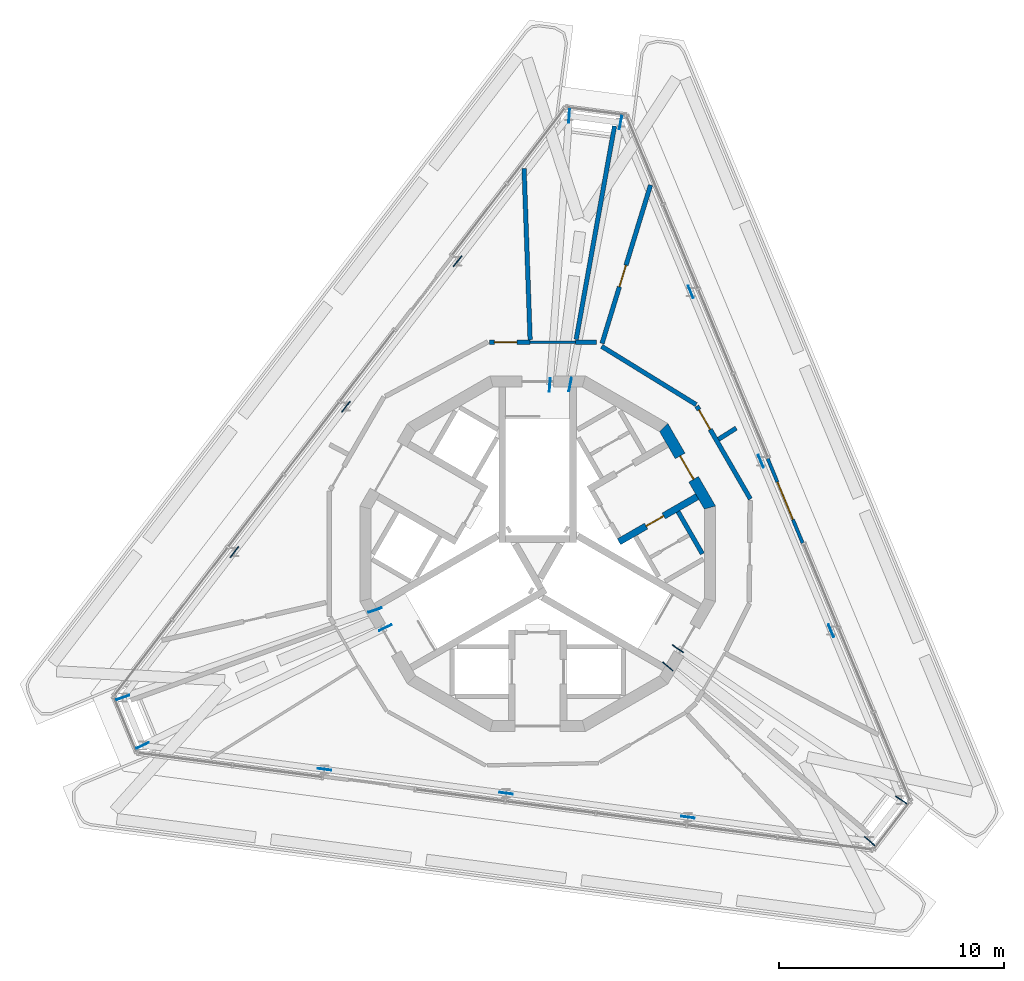
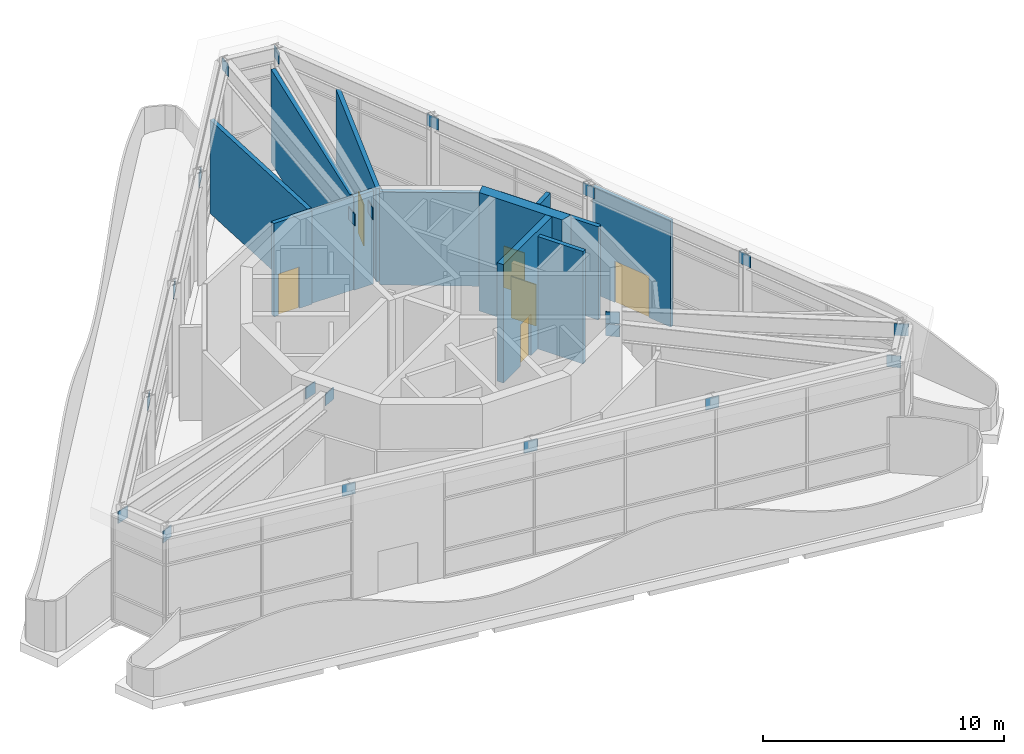
# One storey, part 9 of 10: 21 discrete accessories, 13 walls, 6 doors, 6 openings.
"""IFC4 building model written with IfcOpenShell, lengths in metres."""

from ifc_helpers import new_model, si_unit, direction, frame, frame_2d, origin, origin_2d, place, context, subcontext, project, spatial, polyline, rectangle, outline, extrude, material, layer, layer_set, type_object, element, fill, save


model = new_model("IFC4")

# Units and contexts
model_context = context("Model", 3, precision=1e-05, world=origin(), true_north=direction((0.0, 1.0)))
body_context = subcontext(model_context, "Body", "Model", "MODEL_VIEW")
ifc_project = project(units=[si_unit("LENGTHUNIT", "METRE"), si_unit("AREAUNIT", "SQUARE_METRE"), si_unit("VOLUMEUNIT", "CUBIC_METRE"), si_unit("PLANEANGLEUNIT", "RADIAN"), si_unit("MASSUNIT", "GRAM", prefix="KILO")], contexts=[model_context])

# Site, building, storey
site_placement = place(None, origin())
site = spatial("IfcSite", under=ifc_project, at=site_placement, CompositionType="ELEMENT")
building_placement = place(site_placement, origin())
building = spatial("IfcBuilding", under=site, at=building_placement, Name="Trine Commons Tower", CompositionType="ELEMENT")
storey_placement = place(building_placement, frame((0.0, 0.0, 300.60009765625)))
storey = spatial("IfcBuildingStorey", under=building, at=storey_placement, Name="CROWN", CompositionType="ELEMENT", Elevation=300.60009765625)

# Wall, opening, door
ifc_material_1 = material(Name="Plasterboard on steel stud", Category="steel")
ifc_layer_1 = layer(ifc_material_1, 0.199951171875)
ifc_layer_set_1 = layer_set([ifc_layer_1], Name="Plasterboard on steel stud")
wall_type_1 = type_object("IfcWallType", Name="Fire wall 200 mm, EI 120", PredefinedType="PARTITIONING", material=ifc_layer_set_1)
wall_1_placement = place(storey_placement, frame((77.848876953125, 71.920654296875, 0.0), z_axis=(0.0, 0.0, 1.0), x_axis=(1.0, 0.0, 0.0)))
wall_1 = element("IfcWall", 1, at=wall_1_placement, inside=storey, type_object=wall_type_1, Name="Partition CR013", PredefinedType="PARTITIONING", context=body_context, shape_type="SweptSolid", body=[
    extrude(rectangle(XDim=1.818603515625, YDim=0.199951171875, at=frame_2d((0.9091796875, 0.0))), origin(), (0.0, 0.0, 1.0), 4.722900390625),
])
opening_1_placement = place(wall_1_placement, frame((0.22265625, 0.0, 0.0)))
opening_1 = element("IfcOpeningElement", 2, at=opening_1_placement, cuts=wall_1, Name="Opening D-CR03", PredefinedType="OPENING", context=body_context, shape_type="SweptSolid", body=[
    extrude(rectangle(XDim=1.0, YDim=2.10009765625, at=frame_2d((0.5, 1.050048828125))), frame((0.0, 0.10986328125, 0.0), z_axis=(0.0, -1.0, 0.0), x_axis=(1.0, 0.0, 0.0)), (0.0, 0.0, 1.0), 0.219970703125),
])
ifc_material_2 = material(Name="Timber fire door set", Category="wood")
door_type_1 = type_object("IfcDoorType", Name="Single swing door 1000x2100, FD60", OperationType="SINGLE_SWING_LEFT", PredefinedType="DOOR", material=ifc_material_2)
door_1_placement = place(opening_1_placement, origin())
door_1 = element("IfcDoor", 3, at=door_1_placement, inside=storey, type_object=door_type_1, Name="Door D-CR03", OperationType="SINGLE_SWING_LEFT", OverallHeight=2.10009765625, OverallWidth=1.0, PredefinedType="DOOR", context=body_context, shape_type="SweptSolid", body=[
    extrude(rectangle(XDim=1.0, YDim=2.10009765625, at=frame_2d((0.5, 1.050048828125))), frame((0.0, 0.02490234375, 0.0), z_axis=(0.0, -1.0, 0.0), x_axis=(1.0, 0.0, 0.0)), (0.0, 0.0, 1.0), 0.050048828125),
])
fill(opening_1, door_1)

# Walls
wall_2_placement = place(storey_placement, frame((79.39404296875, 79.659912109375, 0.0), z_axis=(0.0, 0.0, 1.0), x_axis=(0.035285675527, -0.999377266653, 0.0)))
element("IfcWall", 4, at=wall_2_placement, inside=storey, type_object=wall_type_1, Name="Partition CR014", PredefinedType="PARTITIONING", context=body_context, shape_type="SweptSolid", body=[
    extrude(rectangle(XDim=7.638427734375, YDim=0.199951171875, at=frame_2d((3.8193359375, 0.0))), origin(), (0.0, 0.0, 1.0), 4.722900390625),
])
wall_3_placement = place(storey_placement, frame((81.692626953125, 71.920654296875, 0.0), z_axis=(0.0, 0.0, 1.0), x_axis=(1.0, 0.0, 0.0)))
element("IfcWall", 5, at=wall_3_placement, inside=storey, type_object=wall_type_1, Name="Partition CR016", PredefinedType="PARTITIONING", context=body_context, shape_type="SweptSolid", body=[
    extrude(rectangle(XDim=0.931640625, YDim=0.199951171875, at=frame_2d((0.4658203125, 0.0))), origin(), (0.0, 0.0, 1.0), 4.722900390625),
])
wall_4_placement = place(storey_placement, frame((81.71435546875, 72.040283203125, 0.0), z_axis=(0.0, 0.0, 1.0), x_axis=(0.176869418854, 0.9842343261, 0.0)))
element("IfcWall", 6, at=wall_4_placement, inside=storey, type_object=wall_type_1, Name="Partition CR017", PredefinedType="PARTITIONING", context=body_context, shape_type="SweptSolid", body=[
    extrude(rectangle(XDim=9.656982421875, YDim=0.199951171875, at=frame_2d((4.82861328125, 0.0))), origin(), (0.0, 0.0, 1.0), 4.722900390625),
])
wall_5_placement = place(storey_placement, frame((82.847412109375, 71.73388671875, 0.0), z_axis=(0.0, 0.0, 1.0), x_axis=(0.851358239869, -0.524584738062, 0.0)))
element("IfcWall", 7, at=wall_5_placement, inside=storey, type_object=wall_type_1, Name="Partition CR019", PredefinedType="PARTITIONING", context=body_context, shape_type="SweptSolid", body=[
    extrude(rectangle(XDim=4.94677734375, YDim=0.199951171875, at=frame_2d((2.473388671875, 0.0))), origin(), (0.0, 0.0, 1.0), 4.722900390625),
])

# Wall, opening, door
wall_6_placement = place(storey_placement, frame((85.02685546875, 78.91796875, 0.0), z_axis=(0.0, 0.0, 1.0), x_axis=(-0.292780963103, -0.956179537349, 0.0)))
wall_6 = element("IfcWall", 8, at=wall_6_placement, inside=storey, type_object=wall_type_1, Name="Partition CR020", PredefinedType="PARTITIONING", context=body_context, shape_type="SweptSolid", body=[
    extrude(rectangle(XDim=7.377197265625, YDim=0.199951171875, at=frame_2d((3.6884765625, 0.0))), origin(), (0.0, 0.0, 1.0), 4.722900390625),
])
opening_2_placement = place(wall_6_placement, frame((3.738525390625, 0.0, 0.0)))
opening_2 = element("IfcOpeningElement", 9, at=opening_2_placement, cuts=wall_6, Name="Opening D-CR05", PredefinedType="OPENING", context=body_context, shape_type="SweptSolid", body=[
    extrude(rectangle(XDim=1.0, YDim=2.10009765625, at=frame_2d((0.5, 1.050048828125))), frame((0.0, 0.10986328125, 0.0), z_axis=(0.0, -1.0, 0.0), x_axis=(1.0, 0.0, 0.0)), (0.0, 0.0, 1.0), 0.219970703125),
])
door_2_placement = place(opening_2_placement, origin())
door_2 = element("IfcDoor", 10, at=door_2_placement, inside=storey, type_object=door_type_1, Name="Door D-CR05", OperationType="SINGLE_SWING_LEFT", OverallHeight=2.10009765625, OverallWidth=1.0, PredefinedType="DOOR", context=body_context, shape_type="SweptSolid", body=[
    extrude(rectangle(XDim=1.0, YDim=2.10009765625, at=frame_2d((0.5, 1.050048828125))), frame((0.0, 0.02490234375, 0.0), z_axis=(0.0, -1.0, 0.0), x_axis=(1.0, 0.0, 0.0)), (0.0, 0.0, 1.0), 0.050048828125),
])
fill(opening_2, door_2)

wall_7_placement = place(storey_placement, frame((87.0830078125, 69.0732421875, 0.0), z_axis=(0.0, 0.0, 1.0), x_axis=(0.500010114825, -0.866019563909, 0.0)))
wall_7 = element("IfcWall", 11, at=wall_7_placement, inside=storey, type_object=wall_type_1, Name="Partition CR024", PredefinedType="PARTITIONING", context=body_context, shape_type="SweptSolid", body=[
    extrude(rectangle(XDim=4.775390625, YDim=0.199951171875, at=frame_2d((2.3876953125, 0.0))), origin(), (0.0, 0.0, 1.0), 4.722900390625),
])
opening_3_placement = place(wall_7_placement, frame((0.197998046875, 0.0, 0.0)))
opening_3 = element("IfcOpeningElement", 12, at=opening_3_placement, cuts=wall_7, Name="Opening D-CR07", PredefinedType="OPENING", context=body_context, shape_type="SweptSolid", body=[
    extrude(rectangle(XDim=1.0, YDim=2.10009765625, at=frame_2d((0.5, 1.050048828125))), frame((0.0, 0.10986328125, 0.0), z_axis=(0.0, -1.0, 0.0), x_axis=(1.0, 0.0, 0.0)), (0.0, 0.0, 1.0), 0.219970703125),
])
door_3_placement = place(opening_3_placement, origin())
door_3 = element("IfcDoor", 13, at=door_3_placement, inside=storey, type_object=door_type_1, Name="Door D-CR07", OperationType="SINGLE_SWING_LEFT", OverallHeight=2.10009765625, OverallWidth=1.0, PredefinedType="DOOR", context=body_context, shape_type="SweptSolid", body=[
    extrude(rectangle(XDim=1.0, YDim=2.10009765625, at=frame_2d((0.5, 1.050048828125))), frame((0.0, 0.02490234375, 0.0), z_axis=(0.0, -1.0, 0.0), x_axis=(1.0, 0.0, 0.0)), (0.0, 0.0, 1.0), 0.050048828125),
])
fill(opening_3, door_3)

# Walls
wall_8_placement = place(storey_placement, frame((88.055419921875, 67.596923828125, 0.0), z_axis=(0.0, 0.0, 1.0), x_axis=(0.84508853991, 0.534626373941, 0.0)))
element("IfcWall", 14, at=wall_8_placement, inside=storey, type_object=wall_type_1, Name="Partition CR027", PredefinedType="PARTITIONING", context=body_context, shape_type="SweptSolid", body=[
    extrude(rectangle(XDim=0.927978515625, YDim=0.199951171875, at=frame_2d((0.4638671875, 0.0))), origin(), (0.0, 0.0, 1.0), 4.722900390625),
])
ifc_layer_2 = layer(ifc_material_1, 0.10009765625)
ifc_layer_set_2 = layer_set([ifc_layer_2], Name="Plasterboard on steel stud")
wall_type_2 = type_object("IfcWallType", Name="Partition wall 100 mm stud, not rated", PredefinedType="PARTITIONING", material=ifc_layer_set_2)
wall_9_placement = place(storey_placement, frame((79.669189453125, 71.920654296875, 0.0), z_axis=(0.0, 0.0, 1.0), x_axis=(1.0, 0.0, 0.0)))
element("IfcWall", 15, at=wall_9_placement, inside=storey, type_object=wall_type_2, Name="Partition CR015", PredefinedType="PARTITIONING", context=body_context, shape_type="SweptSolid", body=[
    extrude(rectangle(XDim=2.021728515625, YDim=0.10009765625, at=frame_2d((1.0107421875, 0.0))), origin(), (0.0, 0.0, 1.0), 4.722900390625),
])

# Wall, opening, door
ifc_material_3 = material(Name="Aluminium-framed insulated wall panel", Category="aluminium")
ifc_layer_3 = layer(ifc_material_3, 0.14990234375)
ifc_layer_set_3 = layer_set([ifc_layer_3], Name="Aluminium-framed insulated wall panel")
wall_type_3 = type_object("IfcWallType", Name="Plant access wall 150, EI 60", PredefinedType="SOLIDWALL", material=ifc_layer_set_3)
wall_10_placement = place(storey_placement, frame((91.800048828125, 62.970947265625, 0.0), z_axis=(0.0, 0.0, 1.0), x_axis=(-0.382668835661, 0.923885578529, 0.0)))
wall_10 = element("IfcWall", 16, at=wall_10_placement, inside=storey, type_object=wall_type_3, Name="Plant access wall D3 4", PredefinedType="SOLIDWALL", context=body_context, shape_type="SweptSolid", body=[
    extrude(rectangle(XDim=4.08056640625, YDim=0.14990234375, at=frame_2d((2.040283203125, 0.0))), origin(), (0.0, 0.0, 1.0), 5.39990234375),
])
opening_4_placement = place(wall_10_placement, frame((1.140380859375, 0.0, 0.0)))
opening_4 = element("IfcOpeningElement", 17, at=opening_4_placement, cuts=wall_10, Name="Opening PD-D3-04", PredefinedType="OPENING", context=body_context, shape_type="SweptSolid", body=[
    extrude(rectangle(XDim=1.800048828125, YDim=2.10009765625, at=frame_2d((0.89990234375, 1.050048828125))), frame((0.0, 0.0849609375, 0.0), z_axis=(0.0, -1.0, 0.0), x_axis=(1.0, 0.0, 0.0)), (0.0, 0.0, 1.0), 0.169921875),
])
ifc_material_4 = material(Name="Powder-coated steel", Category="steel")
door_type_2 = type_object("IfcDoorType", Name="Steel double door 1800x2100, FD60", OperationType="DOUBLE_DOOR_DOUBLE_SWING", PredefinedType="DOOR", material=ifc_material_4)
door_4_placement = place(opening_4_placement, origin())
door_4 = element("IfcDoor", 18, at=door_4_placement, inside=storey, type_object=door_type_2, Name="Plant access door D3 4", OperationType="DOUBLE_DOOR_DOUBLE_SWING", OverallHeight=2.10009765625, OverallWidth=1.800048828125, PredefinedType="DOOR", context=body_context, shape_type="SweptSolid", body=[
    extrude(rectangle(XDim=1.800048828125, YDim=2.10009765625, at=frame_2d((0.89990234375, 1.050048828125))), frame((0.0, 0.02490234375, 0.0), z_axis=(0.0, -1.0, 0.0), x_axis=(1.0, 0.0, 0.0)), (0.0, 0.0, 1.0), 0.050048828125),
])
fill(opening_4, door_4)

ifc_material_5 = material(Name="Concrete C50/60", Category="concrete")
ifc_layer_4 = layer(ifc_material_5, 0.300048828125)
ifc_layer_set_4 = layer_set([ifc_layer_4], Name="Concrete C50/60")
wall_type_4 = type_object("IfcWallType", Name="RC shear wall 300 mm, C50/60", PredefinedType="SHEAR", material=ifc_layer_set_4)
wall_11_placement = place(storey_placement, frame((83.618896484375, 63.031005859375, 0.0), z_axis=(0.0, 0.0, 1.0), x_axis=(0.866071331441, 0.499920442526, 0.0)))
wall_11 = element("IfcWall", 19, at=wall_11_placement, inside=storey, type_object=wall_type_4, Name="Core cross wall SWD-06 CROWN", PredefinedType="SHEAR", context=body_context, shape_type="SweptSolid", body=[
    extrude(rectangle(XDim=4.020751953125, YDim=0.300048828125, at=frame_2d((2.01025390625, 0.0))), origin(), (0.0, 0.0, 1.0), 6.0),
])
opening_5_placement = place(wall_11_placement, frame((1.400390625, 0.0, 0.0)))
opening_5 = element("IfcOpeningElement", 20, at=opening_5_placement, cuts=wall_11, Name="Opening K20.12", PredefinedType="OPENING", context=body_context, shape_type="SweptSolid", body=[
    extrude(rectangle(XDim=0.89990234375, YDim=2.10009765625, at=frame_2d((0.449951171875, 1.050048828125))), frame((0.0, 0.159912109375, 0.0), z_axis=(0.0, -1.0, 0.0), x_axis=(1.0, 0.0, 0.0)), (0.0, 0.0, 1.0), 0.320068359375),
])
ifc_material_6 = material(Name="Steel door leaf, fire-rated", Category="steel")
door_type_3 = type_object("IfcDoorType", Name="Core room door, single leaf 900 x 2100, FD30S", OperationType="SINGLE_SWING_LEFT", PredefinedType="DOOR", material=ifc_material_6)
door_5_placement = place(opening_5_placement, frame((0.89990234375, 0.0, 0.0), z_axis=(0.0, 0.0, 1.0), x_axis=(-1.0, 0.0, 0.0)))
door_5 = element("IfcDoor", 21, at=door_5_placement, inside=storey, type_object=door_type_3, Name="Door to Store CROWN", OperationType="SINGLE_SWING_LEFT", OverallHeight=2.10009765625, OverallWidth=0.89990234375, PredefinedType="DOOR", context=body_context, shape_type="SweptSolid", body=[
    extrude(rectangle(XDim=0.89990234375, YDim=2.10009765625, at=frame_2d((0.449951171875, 1.050048828125))), frame((0.0, 0.02490234375, 0.0), z_axis=(0.0, -1.0, 0.0), x_axis=(1.0, 0.0, 0.0)), (0.0, 0.0, 1.0), 0.050048828125),
])
fill(opening_5, door_5)

ifc_layer_5 = layer(ifc_material_5, 0.5)
ifc_layer_set_5 = layer_set([ifc_layer_5], Name="Concrete C50/60")
wall_type_5 = type_object("IfcWallType", Name="RC shear wall 500 mm, C50/60", PredefinedType="SHEAR", material=ifc_layer_set_5)
wall_12_placement = place(storey_placement, frame((87.7041015625, 64.497314453125, 0.0), z_axis=(0.0, 0.0, 1.0), x_axis=(-0.499992968425, 0.866029463428, 0.0)))
wall_12 = element("IfcWall", 22, at=wall_12_placement, inside=storey, type_object=wall_type_5, Name="Core wall CWH-02 CROWN", PredefinedType="SHEAR", context=body_context, shape_type="SweptSolid", body=[
    extrude(outline(polyline([(0.0, -0.25), (4.24462890625, -0.25), (4.110595703125, 0.25), (0.134033203125, 0.25), (0.0, -0.25)])), origin(), (0.0, 0.0, 1.0), 6.0),
])
opening_6_placement = place(wall_12_placement, frame((1.5224609375, 0.0, 0.0)))
opening_6 = element("IfcOpeningElement", 23, at=opening_6_placement, cuts=wall_12, Name="Opening K20.04", PredefinedType="OPENING", context=body_context, shape_type="SweptSolid", body=[
    extrude(rectangle(XDim=1.199951171875, YDim=2.10009765625, at=frame_2d((0.60009765625, 1.050048828125))), frame((0.0, 0.260009765625, 0.0), z_axis=(0.0, -1.0, 0.0), x_axis=(1.0, 0.0, 0.0)), (0.0, 0.0, 1.0), 0.52001953125),
])
ifc_material_7 = material(Name="Steel door leaves, fire-rated", Category="steel")
door_type_4 = type_object("IfcDoorType", Name="Lobby door, double leaf 1200 x 2100, FD60", OperationType="DOUBLE_DOOR_SINGLE_SWING", PredefinedType="DOOR", material=ifc_material_7)
door_6_placement = place(opening_6_placement, origin())
door_6 = element("IfcDoor", 24, at=door_6_placement, inside=storey, type_object=door_type_4, Name="Lobby door, Core lounge CROWN", OperationType="DOUBLE_DOOR_SINGLE_SWING", OverallHeight=2.10009765625, OverallWidth=1.199951171875, PredefinedType="DOOR", context=body_context, shape_type="SweptSolid", body=[
    extrude(rectangle(XDim=1.199951171875, YDim=2.10009765625, at=frame_2d((0.60009765625, 1.050048828125))), frame((0.0, 0.02490234375, 0.0), z_axis=(0.0, -1.0, 0.0), x_axis=(1.0, 0.0, 0.0)), (0.0, 0.0, 1.0), 0.050048828125),
])
fill(opening_6, door_6)

# Wall
ifc_material_8 = material(Name="Fire-rated gypsum shaft wall system")
ifc_layer_6 = layer(ifc_material_8, 0.199951171875)
ifc_layer_set_6 = layer_set([ifc_layer_6], Name="Fire-rated gypsum shaft wall system")
wall_type_6 = type_object("IfcWallType", Name="Shaft wall 200 mm, EI 120", PredefinedType="PARTITIONING", material=ifc_layer_set_6)
wall_13_placement = place(storey_placement, frame((86.2490234375, 64.3759765625, 0.0), z_axis=(0.0, 0.0, 1.0), x_axis=(0.499865263774, -0.866103179807, 0.0)))
element("IfcWall", 25, at=wall_13_placement, inside=storey, type_object=wall_type_6, Name="Shaft wall CROWN", PredefinedType="PARTITIONING", context=body_context, shape_type="SweptSolid", body=[
    extrude(rectangle(XDim=2.17041015625, YDim=0.199951171875, at=frame_2d((1.085205078125, 0.0))), origin(), (0.0, 0.0, 1.0), 5.699951171875),
])

# Discrete accessories
ifc_material_9 = material(Name="Structural steel ASTM A572 Gr50", Category="steel")
for number, where, z_axis, x_axis, name in (
    (26, (61.529296875, 56.09912109375, 4.936279296875), (0.0, 0.0, 1.0), (-0.944871787027, -0.327440538236, 0.0), "Gusset plate GPC-01"),
    (27, (62.4130859375, 53.965576171875, 4.936279296875), (0.0, 0.0, 1.0), (-0.899662196961, -0.436586682526, 0.0), "Gusset plate GPC-02"),
    (28, (72.7568359375, 59.989990234375, 4.936279296875), (0.0, 0.0, 1.0), (-0.944871787027, -0.327440538236, 0.0), "Gusset plate GPC-03"),
    (29, (73.215576171875, 59.207763671875, 4.936279296875), (0.0, 0.0, 1.0), (-0.899662196961, -0.436586682526, 0.0), "Gusset plate GPC-04"),
    (30, (80.541015625, 70.021484375, 4.936279296875), (0.0, 0.0, 1.0), (0.071735940459, 0.997423658656, 0.0), "Gusset plate GPC-05"),
    (31, (81.40234375, 81.997802734375, 4.936279296875), (0.0, 0.0, 1.0), (0.071735940459, 0.997423658656, 0.0), "Gusset plate GPC-06"),
    (32, (81.44775390625, 70.02783203125, 4.936279296875), (0.0, 0.0, 1.0), (0.188860641333, 0.982003899257, 0.0), "Gusset plate GPC-07"),
    (33, (83.69189453125, 81.696533203125, 4.936279296875), (0.0, 0.0, 1.0), (0.188860641333, 0.982003899257, 0.0), "Gusset plate GPC-08"),
    (34, (85.79541015625, 57.482421875, 4.936279296875), (0.0, 0.0, 1.0), (0.756011145127, -0.65455874331, 0.0), "Gusset plate GPC-09"),
    (35, (86.243408203125, 58.270751953125, 4.936279296875), (0.0, 0.0, 1.0), (0.827925277655, -0.560838421133, 0.0), "Gusset plate GPC-10"),
    (36, (94.77880859375, 49.70458984375, 4.936279296875), (0.0, 0.0, 1.0), (0.756011145127, -0.65455874331, 0.0), "Gusset plate GPC-11"),
    (37, (96.1845703125, 51.53662109375, 4.936279296875), (0.0, 0.0, 1.0), (0.827925277655, -0.560838421133, 0.0), "Gusset plate GPC-12"),
    (38, (66.49755859375, 62.57373046875, 5.0205078125), (0.0, 0.0, 1.0), (0.608760044345, 0.793354402779, 0.0), "Gusset plate GPC-13"),
    (39, (70.50439453125, 52.900146484375, 5.0205078125), (0.0, 0.0, 1.0), (-0.991445772594, 0.130519270626, 0.0), "Gusset plate GPC-14"),
    (40, (71.4658203125, 69.048583984375, 5.0205078125), (0.0, 0.0, 1.0), (0.608760044345, 0.793354402779, 0.0), "Gusset plate GPC-15"),
    (41, (76.43408203125, 75.523193359375, 5.0205078125), (0.0, 0.0, 1.0), (0.6087683523, 0.793348027815, 0.0), "Gusset plate GPC-16"),
    (42, (78.595947265625, 51.8349609375, 5.0205078125), (0.0, 0.0, 1.0), (-0.991444177927, 0.130531383411, 0.0), "Gusset plate GPC-17"),
    (43, (86.687255859375, 50.769775390625, 5.0205078125), (0.0, 0.0, 1.0), (-0.991445772594, 0.130519270626, 0.0), "Gusset plate GPC-18"),
    (44, (86.815185546875, 74.156494140625, 5.0205078125), (0.0, 0.0, 1.0), (0.382686657311, -0.923878196688, 0.0), "Gusset plate GPC-19"),
    (45, (89.938232421875, 66.61669921875, 5.0205078125), (0.0, 0.0, 1.0), (0.382680207415, -0.923880868323, 0.0), "Gusset plate GPC-20"),
    (46, (93.061279296875, 59.07666015625, 5.0205078125), (0.0, 0.0, 1.0), (0.382686657311, -0.923878196688, 0.0), "Gusset plate GPC-21"),
):
    element("IfcDiscreteAccessory", number, at=place(storey_placement, frame(where, z_axis=z_axis, x_axis=x_axis)), inside=storey, material=ifc_material_9, Name=name, PredefinedType="BRACKET", context=body_context, shape_type="SweptSolid", body=[
        extrude(rectangle(XDim=0.60009765625, YDim=0.0400390625, at=origin_2d()), origin(), (0.0, 0.0, 1.0), 0.60009765625),
    ])

save(model, "model.ifc")
